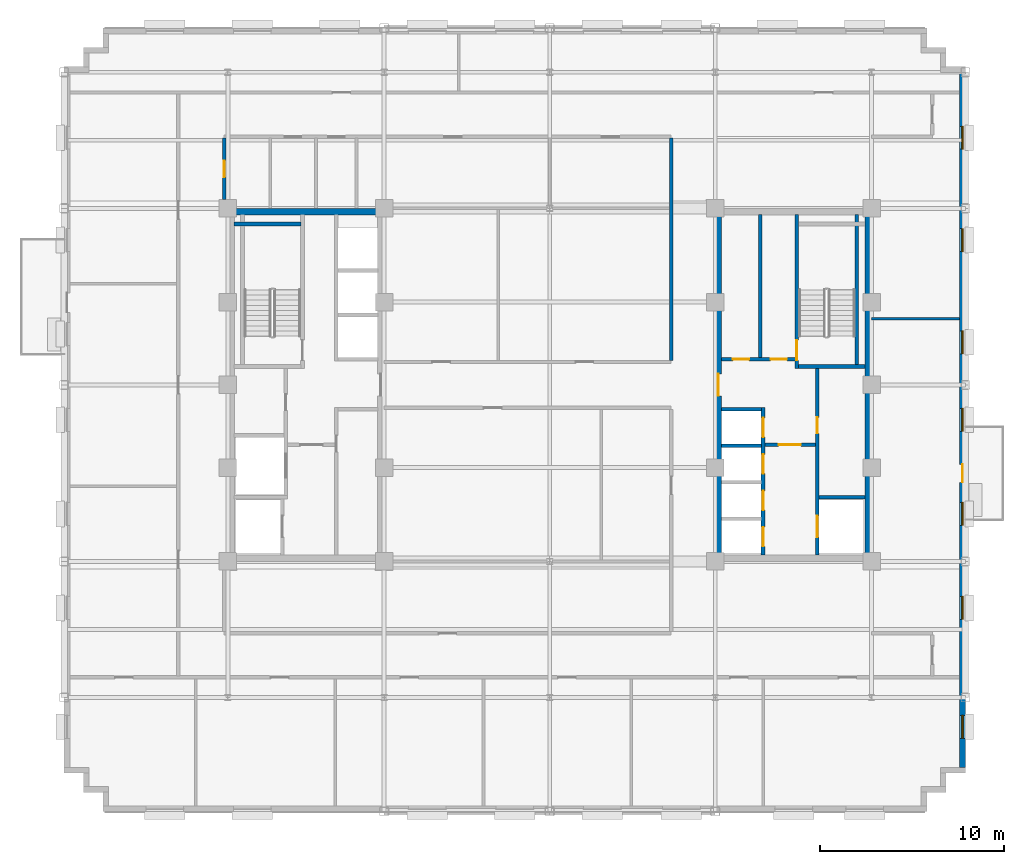
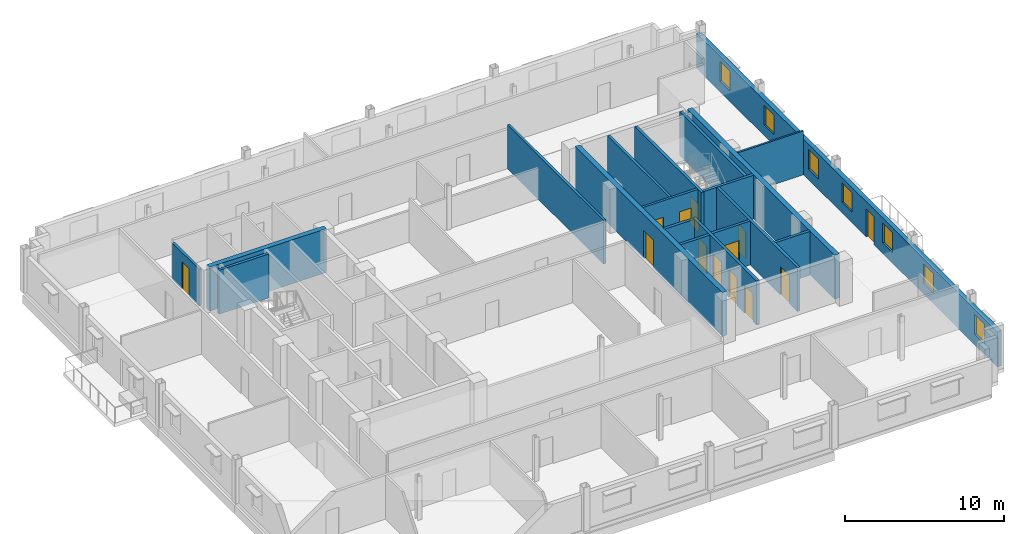
# One storey, part 9 of 15: 19 walls, 13 doors, 7 windows, 20 openings.
"""IFC4 building model written with IfcOpenShell, lengths in metres."""

from ifc_helpers import new_model, si_unit, direction, frame, frame_2d, origin, place, context, subcontext, project, spatial, rectangle, extrude, source, transform, mapped, material, layer, layer_set, type_object, type_shapes, element, fill, save


model = new_model("IFC4")

# Units and contexts
model_context = context("Model", 3, precision=1e-05, world=origin(), true_north=direction((0.0, 1.0)))
body_context = subcontext(model_context, "Body", "Model", "MODEL_VIEW")
ifc_project = project(units=[si_unit("LENGTHUNIT", "METRE"), si_unit("AREAUNIT", "SQUARE_METRE"), si_unit("VOLUMEUNIT", "CUBIC_METRE"), si_unit("PLANEANGLEUNIT", "RADIAN"), si_unit("MASSUNIT", "GRAM", prefix="KILO")], contexts=[model_context])

# Site, building, storey
site_placement = place(None, origin())
site = spatial("IfcSite", under=ifc_project, at=site_placement, CompositionType="ELEMENT")
building_placement = place(site_placement, origin())
building = spatial("IfcBuilding", under=site, at=building_placement, Name="Nuvemarco Arch Tower", CompositionType="ELEMENT")
storey_placement = place(building_placement, frame((0.0, 0.0, 198.199951171875)))
storey = spatial("IfcBuildingStorey", under=building, at=storey_placement, Name="L52", CompositionType="ELEMENT", Elevation=198.199951171875)

# Wall, openings, door, windows
ifc_material_1 = material(Name="Precast concrete C45/55", Category="concrete")
ifc_layer_1 = layer(ifc_material_1, 0.31005859375, Name="EW-UPP-310")
ifc_layer_set_1 = layer_set([ifc_layer_1], Name="Precast concrete C45/55")
wall_type_1 = type_object("IfcWallType", Name="EW-UPP-310", PredefinedType="STANDARD", material=ifc_layer_set_1)
wall_1_placement = place(storey_placement, frame((22.445068359375, -20.7939453125, 0.0), z_axis=(0.0, 0.0, 1.0), x_axis=(0.0, 1.0, 0.0)))
wall_1 = element("IfcWall", 1, at=wall_1_placement, inside=storey, type_object=wall_type_1, Name="L52 exterior precast facade wall 6", PredefinedType="STANDARD", context=body_context, shape_type="SweptSolid", body=[
    extrude(rectangle(XDim=37.787841796875, YDim=0.31005859375, at=frame_2d((18.89404296875, 0.0))), origin(), (0.0, 0.0, 1.0), 2.705078125),
])
opening_1_placement = place(wall_1_placement, frame((16.473876953125, 0.0, 0.0), z_axis=(0.0, 0.0, 1.0), x_axis=(-1.0, 0.0, 0.0)))
opening_1 = element("IfcOpeningElement", 2, at=opening_1_placement, cuts=wall_1, Name="Opening ED-6", PredefinedType="OPENING", context=body_context, shape_type="SweptSolid", body=[
    extrude(rectangle(XDim=0.97998046875, YDim=2.14990234375, at=frame_2d((0.489990234375, 1.074951171875))), frame((0.0, 0.1650390625, 0.0), z_axis=(0.0, -1.0, 0.0), x_axis=(1.0, 0.0, 0.0)), (0.0, 0.0, 1.0), 0.330078125),
])
opening_2_placement = place(wall_1_placement, frame((1.581298828125, 0.0, 0.800048828125)))
opening_2 = element("IfcOpeningElement", 3, at=opening_2_placement, cuts=wall_1, Name="Opening WN-13", PredefinedType="OPENING", context=body_context, shape_type="SweptSolid", body=[
    extrude(rectangle(XDim=1.25, YDim=1.52001953125, at=frame_2d((0.625, 0.760009765625))), frame((0.0, 0.1650390625, 0.0), z_axis=(0.0, -1.0, 0.0), x_axis=(1.0, 0.0, 0.0)), (0.0, 0.0, 1.0), 0.330078125),
])
opening_3_placement = place(wall_1_placement, frame((8.0439453125, 0.0, 0.800048828125)))
opening_3 = element("IfcOpeningElement", 4, at=opening_3_placement, cuts=wall_1, Name="Opening WN-13", PredefinedType="OPENING", context=body_context, shape_type="SweptSolid", body=[
    extrude(rectangle(XDim=1.25, YDim=1.52001953125, at=frame_2d((0.625, 0.760009765625))), frame((0.0, 0.1650390625, 0.0), z_axis=(0.0, -1.0, 0.0), x_axis=(1.0, 0.0, 0.0)), (0.0, 0.0, 1.0), 0.330078125),
])
opening_4_placement = place(wall_1_placement, frame((13.156494140625, 0.0, 0.800048828125)))
opening_4 = element("IfcOpeningElement", 5, at=opening_4_placement, cuts=wall_1, Name="Opening WN-13", PredefinedType="OPENING", context=body_context, shape_type="SweptSolid", body=[
    extrude(rectangle(XDim=1.25, YDim=1.52001953125, at=frame_2d((0.625, 0.760009765625))), frame((0.0, 0.1650390625, 0.0), z_axis=(0.0, -1.0, 0.0), x_axis=(1.0, 0.0, 0.0)), (0.0, 0.0, 1.0), 0.330078125),
])
opening_5_placement = place(wall_1_placement, frame((18.26904296875, 0.0, 0.800048828125)))
opening_5 = element("IfcOpeningElement", 6, at=opening_5_placement, cuts=wall_1, Name="Opening WN-13", PredefinedType="OPENING", context=body_context, shape_type="SweptSolid", body=[
    extrude(rectangle(XDim=1.25, YDim=1.52001953125, at=frame_2d((0.625, 0.760009765625))), frame((0.0, 0.1650390625, 0.0), z_axis=(0.0, -1.0, 0.0), x_axis=(1.0, 0.0, 0.0)), (0.0, 0.0, 1.0), 0.330078125),
])
opening_6_placement = place(wall_1_placement, frame((22.481689453125, 0.0, 0.800048828125)))
opening_6 = element("IfcOpeningElement", 7, at=opening_6_placement, cuts=wall_1, Name="Opening WN-13", PredefinedType="OPENING", context=body_context, shape_type="SweptSolid", body=[
    extrude(rectangle(XDim=1.25, YDim=1.52001953125, at=frame_2d((0.625, 0.760009765625))), frame((0.0, 0.1650390625, 0.0), z_axis=(0.0, -1.0, 0.0), x_axis=(1.0, 0.0, 0.0)), (0.0, 0.0, 1.0), 0.330078125),
])
opening_7_placement = place(wall_1_placement, frame((28.044189453125, 0.0, 0.800048828125)))
opening_7 = element("IfcOpeningElement", 8, at=opening_7_placement, cuts=wall_1, Name="Opening WN-13", PredefinedType="OPENING", context=body_context, shape_type="SweptSolid", body=[
    extrude(rectangle(XDim=1.25, YDim=1.52001953125, at=frame_2d((0.625, 0.760009765625))), frame((0.0, 0.1650390625, 0.0), z_axis=(0.0, -1.0, 0.0), x_axis=(1.0, 0.0, 0.0)), (0.0, 0.0, 1.0), 0.330078125),
])
opening_8_placement = place(wall_1_placement, frame((33.606689453125, 0.0, 0.800048828125)))
opening_8 = element("IfcOpeningElement", 9, at=opening_8_placement, cuts=wall_1, Name="Opening WN-13", PredefinedType="OPENING", context=body_context, shape_type="SweptSolid", body=[
    extrude(rectangle(XDim=1.25, YDim=1.52001953125, at=frame_2d((0.625, 0.760009765625))), frame((0.0, 0.1650390625, 0.0), z_axis=(0.0, -1.0, 0.0), x_axis=(1.0, 0.0, 0.0)), (0.0, 0.0, 1.0), 0.330078125),
])
ifc_material_2 = material(Name="Anodised bronze and laminated glass", Category="glass")
door_type_1 = type_object("IfcDoorType", Name="DR-EXT-BALC", OperationType="NOTDEFINED", PredefinedType="DOOR", material=ifc_material_2)
shared_shape_1 = source(origin(), body_context, "Body", "SweptSolid", [
    extrude(rectangle(XDim=0.97998046875, YDim=2.14990234375, at=frame_2d((0.489990234375, 1.074951171875))), frame((0.0, 0.02490234375, 0.0), z_axis=(0.0, -1.0, 0.0), x_axis=(1.0, 0.0, 0.0)), (0.0, 0.0, 1.0), 0.050048828125),
])
type_shapes(door_type_1, [shared_shape_1])
door_1_placement = place(opening_1_placement, origin())
door_1 = element("IfcDoor", 10, at=door_1_placement, inside=storey, type_object=door_type_1, Name="L52 tree balcony access door", OperationType="SINGLE_SWING_RIGHT", OverallHeight=2.14990234375, OverallWidth=0.97998046875, PredefinedType="DOOR", context=body_context, shape_type="MappedRepresentation", body=[
    mapped(shared_shape_1, transform((0.0, 0.0, 0.0), scale=1.0)),
])
fill(opening_1, door_1)
ifc_material_3 = material(Name="Insulated solar-control glass", Category="glass")
window_type = type_object("IfcWindowType", Name="WN-SET-1250x1520", PartitioningType="SINGLE_PANEL", PredefinedType="WINDOW", material=ifc_material_3)
shared_shape_2 = source(origin(), body_context, "Body", "SweptSolid", [
    extrude(rectangle(XDim=1.25, YDim=1.52001953125, at=frame_2d((0.625, 0.760009765625))), frame((0.0, 0.030029296875, 0.0), z_axis=(0.0, -1.0, 0.0), x_axis=(1.0, 0.0, 0.0)), (0.0, 0.0, 1.0), 0.06005859375),
])
type_shapes(window_type, [shared_shape_2])
window_1_placement = place(opening_2_placement, origin())
window_1 = element("IfcWindow", 11, at=window_1_placement, inside=storey, type_object=window_type, Name="L52 punched facade window 1", OverallHeight=1.52001953125, OverallWidth=1.25, PartitioningType="SINGLE_PANEL", PredefinedType="WINDOW", context=body_context, shape_type="MappedRepresentation", body=[
    mapped(shared_shape_2, transform((0.0, 0.0, 0.0), scale=1.0)),
])
fill(opening_2, window_1)
window_2_placement = place(opening_3_placement, origin())
window_2 = element("IfcWindow", 12, at=window_2_placement, inside=storey, type_object=window_type, Name="L52 punched facade window 2", OverallHeight=1.52001953125, OverallWidth=1.25, PartitioningType="SINGLE_PANEL", PredefinedType="WINDOW", context=body_context, shape_type="MappedRepresentation", body=[
    mapped(shared_shape_2, transform((0.0, 0.0, 0.0), scale=1.0)),
])
fill(opening_3, window_2)
window_3_placement = place(opening_4_placement, origin())
window_3 = element("IfcWindow", 13, at=window_3_placement, inside=storey, type_object=window_type, Name="L52 punched facade window 3", OverallHeight=1.52001953125, OverallWidth=1.25, PartitioningType="SINGLE_PANEL", PredefinedType="WINDOW", context=body_context, shape_type="MappedRepresentation", body=[
    mapped(shared_shape_2, transform((0.0, 0.0, 0.0), scale=1.0)),
])
fill(opening_4, window_3)
window_4_placement = place(opening_5_placement, origin())
window_4 = element("IfcWindow", 14, at=window_4_placement, inside=storey, type_object=window_type, Name="L52 punched facade window 4", OverallHeight=1.52001953125, OverallWidth=1.25, PartitioningType="SINGLE_PANEL", PredefinedType="WINDOW", context=body_context, shape_type="MappedRepresentation", body=[
    mapped(shared_shape_2, transform((0.0, 0.0, 0.0), scale=1.0)),
])
fill(opening_5, window_4)
window_5_placement = place(opening_6_placement, origin())
window_5 = element("IfcWindow", 15, at=window_5_placement, inside=storey, type_object=window_type, Name="L52 punched facade window 5", OverallHeight=1.52001953125, OverallWidth=1.25, PartitioningType="SINGLE_PANEL", PredefinedType="WINDOW", context=body_context, shape_type="MappedRepresentation", body=[
    mapped(shared_shape_2, transform((0.0, 0.0, 0.0), scale=1.0)),
])
fill(opening_6, window_5)
window_6_placement = place(opening_7_placement, origin())
window_6 = element("IfcWindow", 16, at=window_6_placement, inside=storey, type_object=window_type, Name="L52 punched facade window 6", OverallHeight=1.52001953125, OverallWidth=1.25, PartitioningType="SINGLE_PANEL", PredefinedType="WINDOW", context=body_context, shape_type="MappedRepresentation", body=[
    mapped(shared_shape_2, transform((0.0, 0.0, 0.0), scale=1.0)),
])
fill(opening_7, window_6)
window_7_placement = place(opening_8_placement, origin())
window_7 = element("IfcWindow", 17, at=window_7_placement, inside=storey, type_object=window_type, Name="L52 punched facade window 7", OverallHeight=1.52001953125, OverallWidth=1.25, PartitioningType="SINGLE_PANEL", PredefinedType="WINDOW", context=body_context, shape_type="MappedRepresentation", body=[
    mapped(shared_shape_2, transform((0.0, 0.0, 0.0), scale=1.0)),
])
fill(opening_8, window_7)

# Wall
ifc_material_4 = material(Name="Concrete C50/60", Category="concrete")
ifc_layer_2 = layer(ifc_material_4, 0.35009765625, Name="WL-CORE-350")
ifc_layer_set_2 = layer_set([ifc_layer_2], Name="Concrete C50/60")
wall_type_2 = type_object("IfcWallType", Name="WL-CORE-350", PredefinedType="SHEAR", material=ifc_layer_set_2)
wall_2_placement = place(storey_placement, frame((-17.5, 9.425048828125, 0.0), z_axis=(0.0, 0.0, 1.0), x_axis=(1.0, 0.0, 0.0)))
element("IfcWall", 18, at=wall_2_placement, inside=storey, type_object=wall_type_2, Name="L52 W-core shear wall N", PredefinedType="SHEAR", context=body_context, shape_type="SweptSolid", body=[
    extrude(rectangle(XDim=8.5, YDim=0.35009765625, at=frame_2d((4.25, 0.0))), origin(), (0.0, 0.0, 1.0), 3.3701171875),
])

# Wall, opening, door
wall_3_placement = place(storey_placement, frame((9.175048828125, -9.2548828125, 0.0), z_axis=(0.0, 0.0, 1.0), x_axis=(0.0, 1.0, 0.0)))
wall_3 = element("IfcWall", 19, at=wall_3_placement, inside=storey, type_object=wall_type_2, Name="L52 E-core shear wall W", PredefinedType="SHEAR", context=body_context, shape_type="SweptSolid", body=[
    extrude(rectangle(XDim=18.509765625, YDim=0.35009765625, at=frame_2d((9.2548828125, 0.0))), origin(), (0.0, 0.0, 1.0), 3.3701171875),
])
opening_9_placement = place(wall_3_placement, frame((8.655029296875, 0.0, 0.0)))
opening_9 = element("IfcOpeningElement", 20, at=opening_9_placement, cuts=wall_3, Name="Opening FD-2", PredefinedType="OPENING", context=body_context, shape_type="SweptSolid", body=[
    extrude(rectangle(XDim=1.199951171875, YDim=2.14990234375, at=frame_2d((0.60009765625, 1.074951171875))), frame((0.0, 0.18505859375, 0.0), z_axis=(0.0, -1.0, 0.0), x_axis=(1.0, 0.0, 0.0)), (0.0, 0.0, 1.0), 0.3701171875),
])
ifc_material_5 = material(Name="Anodised steel fire door", Category="steel")
door_type_2 = type_object("IfcDoorType", Name="DR-FFLOB-FD", OperationType="NOTDEFINED", PredefinedType="DOOR", material=ifc_material_5)
shared_shape_3 = source(origin(), body_context, "Body", "SweptSolid", [
    extrude(rectangle(XDim=1.199951171875, YDim=2.14990234375, at=frame_2d((0.60009765625, 1.074951171875))), frame((0.0, 0.02490234375, 0.0), z_axis=(0.0, -1.0, 0.0), x_axis=(1.0, 0.0, 0.0)), (0.0, 0.0, 1.0), 0.050048828125),
])
type_shapes(door_type_2, [shared_shape_3])
door_2_placement = place(opening_9_placement, origin())
door_2 = element("IfcDoor", 21, at=door_2_placement, inside=storey, type_object=door_type_2, Name="L52 door FD-L52-ECORE-W", OperationType="SINGLE_SWING_RIGHT", OverallHeight=2.14990234375, OverallWidth=1.199951171875, PredefinedType="DOOR", context=body_context, shape_type="MappedRepresentation", body=[
    mapped(shared_shape_3, transform((0.0, 0.0, 0.0), scale=1.0)),
])
fill(opening_9, door_2)

# Wall
wall_4_placement = place(storey_placement, frame((17.324951171875, -9.2548828125, 0.0), z_axis=(0.0, 0.0, 1.0), x_axis=(0.0, 1.0, 0.0)))
element("IfcWall", 22, at=wall_4_placement, inside=storey, type_object=wall_type_2, Name="L52 E-core shear wall E", PredefinedType="SHEAR", context=body_context, shape_type="SweptSolid", body=[
    extrude(rectangle(XDim=18.509765625, YDim=0.35009765625, at=frame_2d((9.2548828125, 0.0))), origin(), (0.0, 0.0, 1.0), 3.3701171875),
])

# Wall, openings, doors
ifc_material_6 = material(Name="Fire-rated gypsum drywall partition")
ifc_layer_3 = layer(ifc_material_6, 0.179931640625, Name="WL-CORR-180")
ifc_layer_set_3 = layer_set([ifc_layer_3], Name="Fire-rated gypsum drywall partition")
wall_type_3 = type_object("IfcWallType", Name="WL-CORR-180", PredefinedType="PARTITIONING", material=ifc_layer_set_3)
wall_5_placement = place(storey_placement, frame((9.344970703125, 1.39990234375, 0.0), z_axis=(0.0, 0.0, 1.0), x_axis=(1.0, 0.0, 0.0)))
wall_5 = element("IfcWall", 23, at=wall_5_placement, inside=storey, type_object=wall_type_3, Name="L52 interior wall IW-L52-EK-S", PredefinedType="PARTITIONING", context=body_context, shape_type="SweptSolid", body=[
    extrude(rectangle(XDim=4.0, YDim=0.179931640625, at=frame_2d((2.0, 0.0))), origin(), (0.0, 0.0, 1.0), 3.360107421875),
])
opening_10_placement = place(wall_5_placement, frame((0.614990234375, 0.0, 0.0)))
opening_10 = element("IfcOpeningElement", 24, at=opening_10_placement, cuts=wall_5, Name="Opening FD-4", PredefinedType="OPENING", context=body_context, shape_type="SweptSolid", body=[
    extrude(rectangle(XDim=0.8798828125, YDim=2.10009765625, at=frame_2d((0.43994140625, 1.050048828125))), frame((0.0, 0.099853515625, 0.0), z_axis=(0.0, -1.0, 0.0), x_axis=(1.0, 0.0, 0.0)), (0.0, 0.0, 1.0), 0.199951171875),
])
opening_11_placement = place(wall_5_placement, frame((2.6650390625, 0.0, 0.0)))
opening_11 = element("IfcOpeningElement", 25, at=opening_11_placement, cuts=wall_5, Name="Opening FD-4", PredefinedType="OPENING", context=body_context, shape_type="SweptSolid", body=[
    extrude(rectangle(XDim=0.8798828125, YDim=2.10009765625, at=frame_2d((0.43994140625, 1.050048828125))), frame((0.0, 0.099853515625, 0.0), z_axis=(0.0, -1.0, 0.0), x_axis=(1.0, 0.0, 0.0)), (0.0, 0.0, 1.0), 0.199951171875),
])
door_type_3 = type_object("IfcDoorType", Name="DR-RISER-FD", OperationType="NOTDEFINED", PredefinedType="DOOR", material=ifc_material_5)
shared_shape_4 = source(origin(), body_context, "Body", "SweptSolid", [
    extrude(rectangle(XDim=0.8798828125, YDim=2.10009765625, at=frame_2d((0.43994140625, 1.050048828125))), frame((0.0, 0.02490234375, 0.0), z_axis=(0.0, -1.0, 0.0), x_axis=(1.0, 0.0, 0.0)), (0.0, 0.0, 1.0), 0.050048828125),
])
type_shapes(door_type_3, [shared_shape_4])
door_3_placement = place(opening_10_placement, origin())
door_3 = element("IfcDoor", 26, at=door_3_placement, inside=storey, type_object=door_type_3, Name="L52 door FD-L52-EK2A", OperationType="SINGLE_SWING_LEFT", OverallHeight=2.10009765625, OverallWidth=0.8798828125, PredefinedType="DOOR", context=body_context, shape_type="MappedRepresentation", body=[
    mapped(shared_shape_4, transform((0.0, 0.0, 0.0), scale=1.0)),
])
fill(opening_10, door_3)
door_4_placement = place(opening_11_placement, origin())
door_4 = element("IfcDoor", 27, at=door_4_placement, inside=storey, type_object=door_type_3, Name="L52 door FD-L52-EK2B", OperationType="SINGLE_SWING_RIGHT", OverallHeight=2.10009765625, OverallWidth=0.8798828125, PredefinedType="DOOR", context=body_context, shape_type="MappedRepresentation", body=[
    mapped(shared_shape_4, transform((0.0, 0.0, 0.0), scale=1.0)),
])
fill(opening_11, door_4)

# Wall
wall_6_placement = place(storey_placement, frame((11.449951171875, 1.489990234375, 0.0), z_axis=(0.0, 0.0, 1.0), x_axis=(0.0, 1.0, 0.0)))
element("IfcWall", 28, at=wall_6_placement, inside=storey, type_object=wall_type_3, Name="L52 interior wall IW-L52-EK2", PredefinedType="PARTITIONING", context=body_context, shape_type="SweptSolid", body=[
    extrude(rectangle(XDim=7.764892578125, YDim=0.179931640625, at=frame_2d((3.88232421875, 0.0))), origin(), (0.0, 0.0, 1.0), 3.360107421875),
])

# Wall, opening, door
wall_7_placement = place(storey_placement, frame((-17.699951171875, 10.071044921875, 0.0), z_axis=(0.0, 0.0, 1.0), x_axis=(0.0, 1.0, 0.0)))
wall_7 = element("IfcWall", 29, at=wall_7_placement, inside=storey, type_object=wall_type_3, Name="L52 interior wall IW-L52-019", PredefinedType="PARTITIONING", context=body_context, shape_type="SweptSolid", body=[
    extrude(rectangle(XDim=3.343017578125, YDim=0.179931640625, at=frame_2d((1.67138671875, 0.0))), origin(), (0.0, 0.0, 1.0), 2.816162109375),
])
opening_12_placement = place(wall_7_placement, frame((1.221435546875, 0.0, 0.0)))
opening_12 = element("IfcOpeningElement", 30, at=opening_12_placement, cuts=wall_7, Name="Opening ID-3", PredefinedType="OPENING", context=body_context, shape_type="SweptSolid", body=[
    extrude(rectangle(XDim=0.89990234375, YDim=2.10009765625, at=frame_2d((0.449951171875, 1.050048828125))), frame((0.0, 0.099853515625, 0.0), z_axis=(0.0, -1.0, 0.0), x_axis=(1.0, 0.0, 0.0)), (0.0, 0.0, 1.0), 0.199951171875),
])
ifc_material_7 = material(Name="Veneered oak timber fire door", Category="wood")
door_type_4 = type_object("IfcDoorType", Name="DR-WC-ACC", OperationType="NOTDEFINED", PredefinedType="DOOR", material=ifc_material_7)
shared_shape_5 = source(origin(), body_context, "Body", "SweptSolid", [
    extrude(rectangle(XDim=0.89990234375, YDim=2.10009765625, at=frame_2d((0.449951171875, 1.050048828125))), frame((0.0, 0.02490234375, 0.0), z_axis=(0.0, -1.0, 0.0), x_axis=(1.0, 0.0, 0.0)), (0.0, 0.0, 1.0), 0.050048828125),
])
type_shapes(door_type_4, [shared_shape_5])
door_5_placement = place(opening_12_placement, origin())
door_5 = element("IfcDoor", 31, at=door_5_placement, inside=storey, type_object=door_type_4, Name="L52 door DR-L52-WC_M", OperationType="SINGLE_SWING_LEFT", OverallHeight=2.10009765625, OverallWidth=0.89990234375, PredefinedType="DOOR", context=body_context, shape_type="MappedRepresentation", body=[
    mapped(shared_shape_5, transform((0.0, 0.0, 0.0), scale=1.0)),
])
fill(opening_12, door_5)

# Walls
wall_8_placement = place(storey_placement, frame((6.60009765625, 1.3359375, 0.0), z_axis=(0.0, 0.0, 1.0), x_axis=(0.0, 1.0, 0.0)))
element("IfcWall", 32, at=wall_8_placement, inside=storey, type_object=wall_type_3, Name="L52 interior wall IW-L52-031", PredefinedType="PARTITIONING", context=body_context, shape_type="SweptSolid", body=[
    extrude(rectangle(XDim=12.078125, YDim=0.179931640625, at=frame_2d((6.0390625, 0.0))), origin(), (0.0, 0.0, 1.0), 3.360107421875),
])
ifc_material_8 = material(Name="Glazed acoustic office partition")
ifc_layer_4 = layer(ifc_material_8, 0.1298828125, Name="WL-EXEC-130")
ifc_layer_set_4 = layer_set([ifc_layer_4], Name="Glazed acoustic office partition")
wall_type_4 = type_object("IfcWallType", Name="WL-EXEC-130", PredefinedType="PARTITIONING", material=ifc_layer_set_4)
wall_9_placement = place(storey_placement, frame((17.5, 3.60009765625, 0.0), z_axis=(0.0, 0.0, 1.0), x_axis=(1.0, 0.0, 0.0)))
element("IfcWall", 33, at=wall_9_placement, inside=storey, type_object=wall_type_4, Name="L52 interior wall IW-L52-009", PredefinedType="PARTITIONING", context=body_context, shape_type="SweptSolid", body=[
    extrude(rectangle(XDim=4.7900390625, YDim=0.1298828125, at=frame_2d((2.39501953125, 0.0))), origin(), (0.0, 0.0, 1.0), 3.360107421875),
])
ifc_layer_5 = layer(ifc_material_4, 0.199951171875, Name="WL-SHAFT-220")
ifc_layer_set_5 = layer_set([ifc_layer_5], Name="Concrete C50/60")
wall_type_5 = type_object("IfcWallType", Name="WL-SHAFT-220", PredefinedType="SHEAR", material=ifc_layer_set_5)
wall_10_placement = place(storey_placement, frame((-17.155029296875, 8.75, 0.0), z_axis=(0.0, 0.0, 1.0), x_axis=(1.0, 0.0, 0.0)))
element("IfcWall", 34, at=wall_10_placement, inside=storey, type_object=wall_type_5, Name="L52 structural shaft wall SW-L52-W-ST1N", PredefinedType="SHEAR", context=body_context, shape_type="SweptSolid", body=[
    extrude(rectangle(XDim=3.6201171875, YDim=0.199951171875, at=frame_2d((1.81005859375, 0.0))), origin(), (0.0, 0.0, 1.0), 3.3701171875),
])

# Wall, opening, door
wall_11_placement = place(storey_placement, frame((13.43994140625, 0.89990234375, 0.0), z_axis=(0.0, 0.0, 1.0), x_axis=(0.0, 1.0, 0.0)))
wall_11 = element("IfcWall", 35, at=wall_11_placement, inside=storey, type_object=wall_type_5, Name="L52 structural shaft wall SW-L52-E-ST2W", PredefinedType="SHEAR", context=body_context, shape_type="SweptSolid", body=[
    extrude(rectangle(XDim=8.35498046875, YDim=0.199951171875, at=frame_2d((4.177490234375, 0.0))), origin(), (0.0, 0.0, 1.0), 3.3701171875),
])
opening_13_placement = place(wall_11_placement, frame((0.429931640625, 0.0, 0.0)))
opening_13 = element("IfcOpeningElement", 36, at=opening_13_placement, cuts=wall_11, Name="Opening FD-1", PredefinedType="OPENING", context=body_context, shape_type="SweptSolid", body=[
    extrude(rectangle(XDim=1.10009765625, YDim=2.14990234375, at=frame_2d((0.550048828125, 1.074951171875))), frame((0.0, 0.10986328125, 0.0), z_axis=(0.0, -1.0, 0.0), x_axis=(1.0, 0.0, 0.0)), (0.0, 0.0, 1.0), 0.219970703125),
])
door_type_5 = type_object("IfcDoorType", Name="DR-STAIR-FD", OperationType="NOTDEFINED", PredefinedType="DOOR", material=ifc_material_5)
shared_shape_6 = source(origin(), body_context, "Body", "SweptSolid", [
    extrude(rectangle(XDim=1.10009765625, YDim=2.14990234375, at=frame_2d((0.550048828125, 1.074951171875))), frame((0.0, 0.02490234375, 0.0), z_axis=(0.0, -1.0, 0.0), x_axis=(1.0, 0.0, 0.0)), (0.0, 0.0, 1.0), 0.050048828125),
])
type_shapes(door_type_5, [shared_shape_6])
door_6_placement = place(opening_13_placement, origin())
door_6 = element("IfcDoor", 37, at=door_6_placement, inside=storey, type_object=door_type_5, Name="L52 door FD-L52-ST2", OperationType="SINGLE_SWING_LEFT", OverallHeight=2.14990234375, OverallWidth=1.10009765625, PredefinedType="DOOR", context=body_context, shape_type="MappedRepresentation", body=[
    mapped(shared_shape_6, transform((0.0, 0.0, 0.0), scale=1.0)),
])
fill(opening_13, door_6)

# Walls
wall_12_placement = place(storey_placement, frame((13.534912109375, 1.0, 0.0), z_axis=(0.0, 0.0, 1.0), x_axis=(1.0, 0.0, 0.0)))
element("IfcWall", 38, at=wall_12_placement, inside=storey, type_object=wall_type_5, Name="L52 structural shaft wall SW-L52-E-ST2S", PredefinedType="SHEAR", context=body_context, shape_type="SweptSolid", body=[
    extrude(rectangle(XDim=3.6201171875, YDim=0.199951171875, at=frame_2d((1.81005859375, 0.0))), origin(), (0.0, 0.0, 1.0), 3.3701171875),
])
wall_13_placement = place(storey_placement, frame((16.699951171875, 1.094970703125, 0.0), z_axis=(0.0, 0.0, 1.0), x_axis=(0.0, 1.0, 0.0)))
element("IfcWall", 39, at=wall_13_placement, inside=storey, type_object=wall_type_5, Name="L52 structural shaft wall SW-L52-E-ST2E", PredefinedType="SHEAR", context=body_context, shape_type="SweptSolid", body=[
    extrude(rectangle(XDim=8.159912109375, YDim=0.199951171875, at=frame_2d((4.080078125, 0.0))), origin(), (0.0, 0.0, 1.0), 3.3701171875),
])

# Wall, openings, doors
wall_14_placement = place(storey_placement, frame((14.550048828125, -9.2548828125, 0.0), z_axis=(0.0, 0.0, 1.0), x_axis=(0.0, 1.0, 0.0)))
wall_14 = element("IfcWall", 40, at=wall_14_placement, inside=storey, type_object=wall_type_5, Name="L52 structural shaft wall SW-L52-E-SHW", PredefinedType="SHEAR", context=body_context, shape_type="SweptSolid", body=[
    extrude(rectangle(XDim=10.159912109375, YDim=0.199951171875, at=frame_2d((5.080078125, 0.0))), origin(), (0.0, 0.0, 1.0), 3.3701171875),
])
opening_14_placement = place(wall_14_placement, frame((6.614990234375, 0.0, 0.0)))
opening_14 = element("IfcOpeningElement", 41, at=opening_14_placement, cuts=wall_14, Name="Opening FD-4", PredefinedType="OPENING", context=body_context, shape_type="SweptSolid", body=[
    extrude(rectangle(XDim=0.8798828125, YDim=2.10009765625, at=frame_2d((0.43994140625, 1.050048828125))), frame((0.0, 0.10986328125, 0.0), z_axis=(0.0, -1.0, 0.0), x_axis=(1.0, 0.0, 0.0)), (0.0, 0.0, 1.0), 0.219970703125),
])
opening_15_placement = place(wall_14_placement, frame((0.97998046875, 0.0, 0.0)))
opening_15 = element("IfcOpeningElement", 42, at=opening_15_placement, cuts=wall_14, Name="Opening LD-2", PredefinedType="OPENING", context=body_context, shape_type="SweptSolid", body=[
    extrude(rectangle(XDim=1.14990234375, YDim=2.14990234375, at=frame_2d((0.574951171875, 1.074951171875))), frame((0.0, 0.10986328125, 0.0), z_axis=(0.0, -1.0, 0.0), x_axis=(1.0, 0.0, 0.0)), (0.0, 0.0, 1.0), 0.219970703125),
])
door_7_placement = place(opening_14_placement, origin())
door_7 = element("IfcDoor", 43, at=door_7_placement, inside=storey, type_object=door_type_3, Name="L52 door FD-L52-ERIS", OperationType="SINGLE_SWING_LEFT", OverallHeight=2.10009765625, OverallWidth=0.8798828125, PredefinedType="DOOR", context=body_context, shape_type="MappedRepresentation", body=[
    mapped(shared_shape_4, transform((0.0, 0.0, 0.0), scale=1.0)),
])
fill(opening_14, door_7)
ifc_material_9 = material(Name="Stainless steel lift door", Category="steel")
door_type_6 = type_object("IfcDoorType", Name="DR-LIFT-FIRE", OperationType="DOUBLE_DOOR_SLIDING", PredefinedType="DOOR", material=ifc_material_9)
shared_shape_7 = source(origin(), body_context, "Body", "SweptSolid", [
    extrude(rectangle(XDim=1.14990234375, YDim=2.14990234375, at=frame_2d((0.574951171875, 1.074951171875))), frame((0.0, 0.02490234375, 0.0), z_axis=(0.0, -1.0, 0.0), x_axis=(1.0, 0.0, 0.0)), (0.0, 0.0, 1.0), 0.050048828125),
])
type_shapes(door_type_6, [shared_shape_7])
door_8_placement = place(opening_15_placement, origin())
door_8 = element("IfcDoor", 44, at=door_8_placement, inside=storey, type_object=door_type_6, Name="L52 Lift landing sliding door FFL-2", OperationType="DOUBLE_DOOR_SLIDING", OverallHeight=2.14990234375, OverallWidth=1.14990234375, PredefinedType="DOOR", context=body_context, shape_type="MappedRepresentation", body=[
    mapped(shared_shape_7, transform((0.0, 0.0, 0.0), scale=1.0)),
])
fill(opening_15, door_8)

# Wall
wall_15_placement = place(storey_placement, frame((14.64501953125, -6.10009765625, 0.0), z_axis=(0.0, 0.0, 1.0), x_axis=(1.0, 0.0, 0.0)))
element("IfcWall", 45, at=wall_15_placement, inside=storey, type_object=wall_type_5, Name="L52 structural shaft wall SW-L52-E-SH1", PredefinedType="SHEAR", context=body_context, shape_type="SweptSolid", body=[
    extrude(rectangle(XDim=2.510009765625, YDim=0.199951171875, at=frame_2d((1.2548828125, 0.0))), origin(), (0.0, 0.0, 1.0), 3.3701171875),
])

# Wall, openings, doors
wall_16_placement = place(storey_placement, frame((11.60009765625, -9.2548828125, 0.0), z_axis=(0.0, 0.0, 1.0), x_axis=(0.0, 1.0, 0.0)))
wall_16 = element("IfcWall", 46, at=wall_16_placement, inside=storey, type_object=wall_type_5, Name="L52 structural shaft wall SW-L52-E-PME", PredefinedType="SHEAR", context=body_context, shape_type="SweptSolid", body=[
    extrude(rectangle(XDim=8.02490234375, YDim=0.199951171875, at=frame_2d((4.012451171875, 0.0))), origin(), (0.0, 0.0, 1.0), 3.3701171875),
])
opening_16_placement = place(wall_16_placement, frame((0.469970703125, 0.0, 0.0)))
opening_16 = element("IfcOpeningElement", 47, at=opening_16_placement, cuts=wall_16, Name="Opening LD-1", PredefinedType="OPENING", context=body_context, shape_type="SweptSolid", body=[
    extrude(rectangle(XDim=1.050048828125, YDim=2.14990234375, at=frame_2d((0.52490234375, 1.074951171875))), frame((0.0, 0.10986328125, 0.0), z_axis=(0.0, -1.0, 0.0), x_axis=(1.0, 0.0, 0.0)), (0.0, 0.0, 1.0), 0.219970703125),
])
opening_17_placement = place(wall_16_placement, frame((2.449951171875, 0.0, 0.0)))
opening_17 = element("IfcOpeningElement", 48, at=opening_17_placement, cuts=wall_16, Name="Opening LD-1", PredefinedType="OPENING", context=body_context, shape_type="SweptSolid", body=[
    extrude(rectangle(XDim=1.050048828125, YDim=2.14990234375, at=frame_2d((0.52490234375, 1.074951171875))), frame((0.0, 0.10986328125, 0.0), z_axis=(0.0, -1.0, 0.0), x_axis=(1.0, 0.0, 0.0)), (0.0, 0.0, 1.0), 0.219970703125),
])
opening_18_placement = place(wall_16_placement, frame((4.429931640625, 0.0, 0.0)))
opening_18 = element("IfcOpeningElement", 49, at=opening_18_placement, cuts=wall_16, Name="Opening LD-1", PredefinedType="OPENING", context=body_context, shape_type="SweptSolid", body=[
    extrude(rectangle(XDim=1.050048828125, YDim=2.14990234375, at=frame_2d((0.52490234375, 1.074951171875))), frame((0.0, 0.10986328125, 0.0), z_axis=(0.0, -1.0, 0.0), x_axis=(1.0, 0.0, 0.0)), (0.0, 0.0, 1.0), 0.219970703125),
])
opening_19_placement = place(wall_16_placement, frame((6.409912109375, 0.0, 0.0)))
opening_19 = element("IfcOpeningElement", 50, at=opening_19_placement, cuts=wall_16, Name="Opening LD-1", PredefinedType="OPENING", context=body_context, shape_type="SweptSolid", body=[
    extrude(rectangle(XDim=1.050048828125, YDim=2.14990234375, at=frame_2d((0.52490234375, 1.074951171875))), frame((0.0, 0.10986328125, 0.0), z_axis=(0.0, -1.0, 0.0), x_axis=(1.0, 0.0, 0.0)), (0.0, 0.0, 1.0), 0.219970703125),
])
door_type_7 = type_object("IfcDoorType", Name="DR-LIFT-PASS", OperationType="DOUBLE_DOOR_SLIDING", PredefinedType="DOOR", material=ifc_material_9)
shared_shape_8 = source(origin(), body_context, "Body", "SweptSolid", [
    extrude(rectangle(XDim=1.050048828125, YDim=2.14990234375, at=frame_2d((0.52490234375, 1.074951171875))), frame((0.0, 0.02490234375, 0.0), z_axis=(0.0, -1.0, 0.0), x_axis=(1.0, 0.0, 0.0)), (0.0, 0.0, 1.0), 0.050048828125),
])
type_shapes(door_type_7, [shared_shape_8])
door_9_placement = place(opening_16_placement, origin())
door_9 = element("IfcDoor", 51, at=door_9_placement, inside=storey, type_object=door_type_7, Name="L52 Lift landing sliding door PM-1", OperationType="DOUBLE_DOOR_SLIDING", OverallHeight=2.14990234375, OverallWidth=1.050048828125, PredefinedType="DOOR", context=body_context, shape_type="MappedRepresentation", body=[
    mapped(shared_shape_8, transform((0.0, 0.0, 0.0), scale=1.0)),
])
fill(opening_16, door_9)
door_10_placement = place(opening_17_placement, origin())
door_10 = element("IfcDoor", 52, at=door_10_placement, inside=storey, type_object=door_type_7, Name="L52 Lift landing sliding door PM-2", OperationType="DOUBLE_DOOR_SLIDING", OverallHeight=2.14990234375, OverallWidth=1.050048828125, PredefinedType="DOOR", context=body_context, shape_type="MappedRepresentation", body=[
    mapped(shared_shape_8, transform((0.0, 0.0, 0.0), scale=1.0)),
])
fill(opening_17, door_10)
door_11_placement = place(opening_18_placement, origin())
door_11 = element("IfcDoor", 53, at=door_11_placement, inside=storey, type_object=door_type_7, Name="L52 Lift landing sliding door PM-3", OperationType="DOUBLE_DOOR_SLIDING", OverallHeight=2.14990234375, OverallWidth=1.050048828125, PredefinedType="DOOR", context=body_context, shape_type="MappedRepresentation", body=[
    mapped(shared_shape_8, transform((0.0, 0.0, 0.0), scale=1.0)),
])
fill(opening_18, door_11)
door_12_placement = place(opening_19_placement, origin())
door_12 = element("IfcDoor", 54, at=door_12_placement, inside=storey, type_object=door_type_7, Name="L52 Lift landing sliding door PM-4", OperationType="DOUBLE_DOOR_SLIDING", OverallHeight=2.14990234375, OverallWidth=1.050048828125, PredefinedType="DOOR", context=body_context, shape_type="MappedRepresentation", body=[
    mapped(shared_shape_8, transform((0.0, 0.0, 0.0), scale=1.0)),
])
fill(opening_19, door_12)

# Wall, opening, door
wall_17_placement = place(storey_placement, frame((11.695068359375, -3.25, 0.0), z_axis=(0.0, 0.0, 1.0), x_axis=(1.0, 0.0, 0.0)))
wall_17 = element("IfcWall", 55, at=wall_17_placement, inside=storey, type_object=wall_type_5, Name="L52 structural shaft wall SW-L52-E-FFN", PredefinedType="SHEAR", context=body_context, shape_type="SweptSolid", body=[
    extrude(rectangle(XDim=2.760009765625, YDim=0.199951171875, at=frame_2d((1.3798828125, 0.0))), origin(), (0.0, 0.0, 1.0), 3.3701171875),
])
opening_20_placement = place(wall_17_placement, frame((0.7548828125, 0.0, 0.0)))
opening_20 = element("IfcOpeningElement", 56, at=opening_20_placement, cuts=wall_17, Name="Opening FD-2", PredefinedType="OPENING", context=body_context, shape_type="SweptSolid", body=[
    extrude(rectangle(XDim=1.199951171875, YDim=2.14990234375, at=frame_2d((0.60009765625, 1.074951171875))), frame((0.0, 0.10986328125, 0.0), z_axis=(0.0, -1.0, 0.0), x_axis=(1.0, 0.0, 0.0)), (0.0, 0.0, 1.0), 0.219970703125),
])
door_13_placement = place(opening_20_placement, origin())
door_13 = element("IfcDoor", 57, at=door_13_placement, inside=storey, type_object=door_type_2, Name="L52 door FD-L52-EFF2", OperationType="SINGLE_SWING_LEFT", OverallHeight=2.14990234375, OverallWidth=1.199951171875, PredefinedType="DOOR", context=body_context, shape_type="MappedRepresentation", body=[
    mapped(shared_shape_3, transform((0.0, 0.0, 0.0), scale=1.0)),
])
fill(opening_20, door_13)

# Walls
for number, where, z_axis, x_axis, name in (
    (58, (9.344970703125, -3.31005859375, 0.0), (0.0, 0.0, 1.0), (1.0, 0.0, 0.0), "L52 structural shaft wall SW-L52-E-PMD3"),
    (59, (9.344970703125, -1.330078125, 0.0), (0.0, 0.0, 1.0), (1.0, 0.0, 0.0), "L52 structural shaft wall SW-L52-E-PMD4"),
):
    element("IfcWall", number, at=place(storey_placement, frame(where, z_axis=z_axis, x_axis=x_axis)), inside=storey, type_object=wall_type_5, Name=name, PredefinedType="SHEAR", context=body_context, shape_type="SweptSolid", body=[
        extrude(rectangle(XDim=2.159912109375, YDim=0.199951171875, at=frame_2d((1.080078125, 0.0))), origin(), (0.0, 0.0, 1.0), 3.3701171875),
    ])

save(model, "model.ifc")
